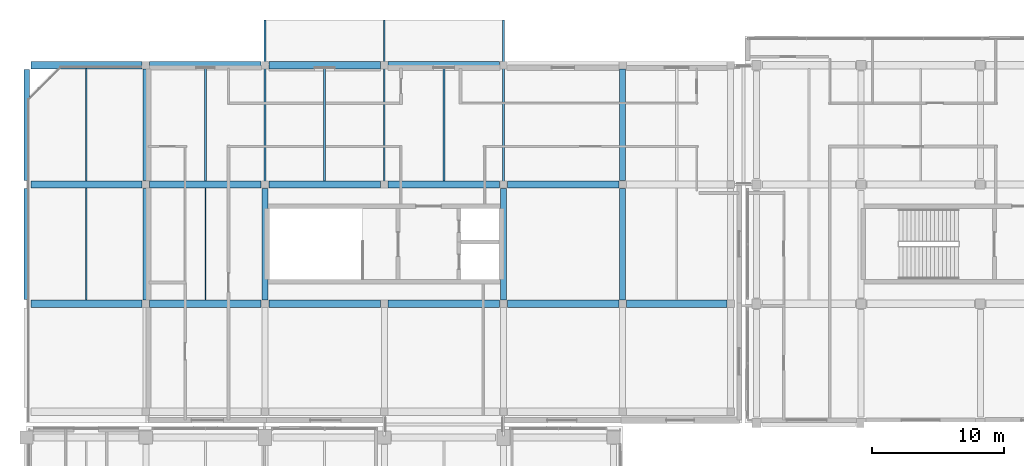
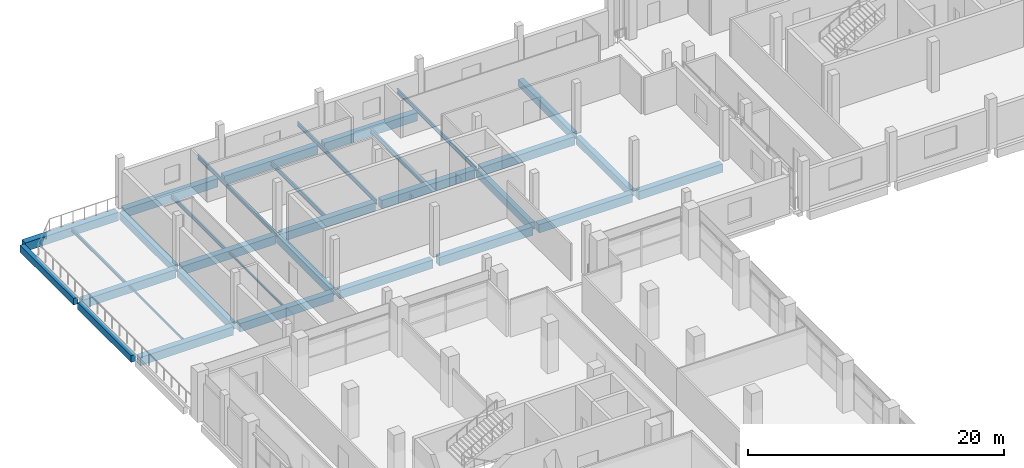
# One storey, part 42 of 111: 32 beams.
"""IFC4 building model written with IfcOpenShell, lengths in metres."""

from ifc_helpers import new_model, si_unit, direction, frame, origin, origin_2d, place, context, subcontext, project, spatial, rectangle, hollow_rectangle, i_section, extrude, material, material_profile, profile_set, type_object, element, save


model = new_model("IFC4")

# Units and contexts
model_context = context("Model", 3, precision=1e-05, world=origin(), true_north=direction((0.0, 1.0)))
body_context = subcontext(model_context, "Body", "Model", "MODEL_VIEW")
ifc_project = project(units=[si_unit("LENGTHUNIT", "METRE"), si_unit("AREAUNIT", "SQUARE_METRE"), si_unit("VOLUMEUNIT", "CUBIC_METRE"), si_unit("PLANEANGLEUNIT", "RADIAN"), si_unit("MASSUNIT", "GRAM", prefix="KILO"), si_unit("THERMODYNAMICTEMPERATUREUNIT", "KELVIN"), si_unit("POWERUNIT", "WATT")], contexts=[model_context])

# Site, building, storey
site_placement = place(None, origin())
site = spatial("IfcSite", under=ifc_project, at=site_placement, CompositionType="ELEMENT")
building_placement = place(site_placement, origin())
building = spatial("IfcBuilding", under=site, at=building_placement, Name="Sindhuravela Promenade Stadium", CompositionType="ELEMENT")
storey_placement = place(building_placement, frame((0.0, 0.0, 9.60009765625)))
storey = spatial("IfcBuildingStorey", under=building, at=storey_placement, Name="L02", CompositionType="ELEMENT", Elevation=9.60009765625)

# Beams
ifc_material_1 = material(Name="Concrete M40", Category="concrete")
ifc_material_profile_1 = material_profile(ifc_material_1, rectangle(XDim=0.39990234375, YDim=0.64990234375, at=origin_2d()), Name="RC 400x650")
ifc_profile_set_1 = profile_set([ifc_material_profile_1], Name="Concrete M40")
beam_type_1 = type_object("IfcBeamType", Name="RC-BM-400x650", PredefinedType="SPANDREL", material=ifc_profile_set_1)
for number, where, z_axis, x_axis, name in (
    (1, (0.0, 135.31494140625, -0.635009765625), (0.0, 1.0, 0.0), (-1.0, 0.0, 0.0), "Primary beam SP01 Pavilion NW L02"),
    (2, (0.0, 144.31494140625, -0.635009765625), (0.0, 1.0, 0.0), (-1.0, 0.0, 0.0), "Primary beam SP01 Pavilion NW L02"),
):
    element("IfcBeam", number, at=place(storey_placement, frame(where, z_axis=z_axis, x_axis=x_axis)), inside=storey, type_object=beam_type_1, Name=name, PredefinedType="SPANDREL", context=body_context, shape_type="SweptSolid", body=[
        extrude(rectangle(XDim=0.39990234375, YDim=0.64990234375, at=origin_2d()), origin(), (0.0, 0.0, 1.0), 8.3701171875),
    ])
ifc_material_profile_2 = material_profile(ifc_material_1, rectangle(XDim=0.449951171875, YDim=0.699951171875, at=origin_2d()), Name="RC 450x700")
ifc_profile_set_2 = profile_set([ifc_material_profile_2], Name="Concrete M40")
beam_type_2 = type_object("IfcBeamType", Name="RC-BM-450x700", PredefinedType="BEAM", material=ifc_profile_set_2)
for number, where, z_axis, x_axis, name in (
    (3, (9.0, 135.2900390625, -0.66015625), (0.0, 1.0, 0.0), (-1.0, 0.0, 0.0), "Primary beam GB07 Pavilion NW L02"),
    (4, (9.0, 144.2900390625, -0.66015625), (0.0, 1.0, 0.0), (-1.0, 0.0, 0.0), "Primary beam GB07 Pavilion NW L02"),
    (5, (18.0, 135.2900390625, -0.585205078125), (0.0, 1.0, 0.0), (-1.0, 0.0, 0.0), "Primary beam GB07 Pavilion NW L02"),
    (6, (36.0, 135.2900390625, -0.585205078125), (0.0, 1.0, 0.0), (-1.0, 0.0, 0.0), "Primary beam GB07 Pavilion NW L02"),
    (7, (45.0, 135.2900390625, -0.585205078125), (0.0, 1.0, 0.0), (-1.0, 0.0, 0.0), "Primary beam GB07 Pavilion NW L02"),
    (8, (45.0, 144.2900390625, -0.585205078125), (0.0, 1.0, 0.0), (-1.0, 0.0, 0.0), "Primary beam GB07 Pavilion NW L02"),
):
    element("IfcBeam", number, at=place(storey_placement, frame(where, z_axis=z_axis, x_axis=x_axis)), inside=storey, type_object=beam_type_2, Name=name, PredefinedType="BEAM", context=body_context, shape_type="SweptSolid", body=[
        extrude(rectangle(XDim=0.449951171875, YDim=0.699951171875, at=origin_2d()), origin(), (0.0, 0.0, 1.0), 8.419921875),
    ])
ifc_material_profile_3 = material_profile(ifc_material_1, rectangle(XDim=0.550048828125, YDim=0.800048828125, at=origin_2d()), Name="RC 550x800")
ifc_profile_set_3 = profile_set([ifc_material_profile_3], Name="Concrete M40")
beam_type_3 = type_object("IfcBeamType", Name="RC-BM-550x800", PredefinedType="BEAM", material=ifc_profile_set_3)
beam_1_placement = place(storey_placement, frame((0.31494140625, 135.0, -0.710205078125), z_axis=(1.0, 0.0, 0.0), x_axis=(0.0, 1.0, 0.0)))
element("IfcBeam", 9, at=beam_1_placement, inside=storey, type_object=beam_type_3, Name="Primary girder GB05 Pavilion NW L02", PredefinedType="BEAM", context=body_context, shape_type="SweptSolid", body=[
    extrude(rectangle(XDim=0.550048828125, YDim=0.800048828125, at=origin_2d()), origin(), (0.0, 0.0, 1.0), 8.39501953125),
])
for number, where, z_axis, x_axis, name in (
    (10, (9.2900390625, 135.0, -0.635009765625), (1.0, 0.0, 0.0), (0.0, 1.0, 0.0), "Primary girder GB05 Pavilion NW L02"),
    (11, (18.2900390625, 135.0, -0.635009765625), (1.0, 0.0, 0.0), (0.0, 1.0, 0.0), "Primary girder GB05 Pavilion NW L02"),
    (12, (27.2900390625, 135.0, -0.635009765625), (1.0, 0.0, 0.0), (0.0, 1.0, 0.0), "Primary girder GB05 Pavilion NW L02"),
    (13, (36.2900390625, 135.0, -0.635009765625), (1.0, 0.0, 0.0), (0.0, 1.0, 0.0), "Primary girder GB05 Pavilion NW L02"),
):
    element("IfcBeam", number, at=place(storey_placement, frame(where, z_axis=z_axis, x_axis=x_axis)), inside=storey, type_object=beam_type_3, Name=name, PredefinedType="BEAM", context=body_context, shape_type="SweptSolid", body=[
        extrude(rectangle(XDim=0.550048828125, YDim=0.800048828125, at=origin_2d()), origin(), (0.0, 0.0, 1.0), 8.419921875),
    ])
beam_2_placement = place(storey_placement, frame((45.2900390625, 135.0, -0.635009765625), z_axis=(1.0, 0.0, 0.0), x_axis=(0.0, 1.0, 0.0)))
element("IfcBeam", 14, at=beam_2_placement, inside=storey, type_object=beam_type_3, Name="Primary girder GB05 Pavilion NW L02", PredefinedType="BEAM", context=body_context, shape_type="SweptSolid", body=[
    extrude(rectangle(XDim=0.550048828125, YDim=0.800048828125, at=origin_2d()), origin(), (0.0, 0.0, 1.0), 7.570068359375),
])
beam_3_placement = place(storey_placement, frame((0.31494140625, 144.0, -0.710205078125), z_axis=(1.0, 0.0, 0.0), x_axis=(0.0, 1.0, 0.0)))
element("IfcBeam", 15, at=beam_3_placement, inside=storey, type_object=beam_type_3, Name="Primary girder GB05 Pavilion NW L02", PredefinedType="BEAM", context=body_context, shape_type="SweptSolid", body=[
    extrude(rectangle(XDim=0.550048828125, YDim=0.800048828125, at=origin_2d()), origin(), (0.0, 0.0, 1.0), 8.39501953125),
])
for number, where, z_axis, x_axis, name in (
    (16, (9.2900390625, 144.0, -0.635009765625), (1.0, 0.0, 0.0), (0.0, 1.0, 0.0), "Primary girder GB05 Pavilion NW L02"),
    (17, (18.2900390625, 144.0, -0.635009765625), (1.0, 0.0, 0.0), (0.0, 1.0, 0.0), "Primary girder GB05 Pavilion NW L02"),
    (18, (27.2900390625, 144.0, -0.635009765625), (1.0, 0.0, 0.0), (0.0, 1.0, 0.0), "Primary girder GB05 Pavilion NW L02"),
    (19, (36.2900390625, 144.0, -0.635009765625), (1.0, 0.0, 0.0), (0.0, 1.0, 0.0), "Primary girder GB05 Pavilion NW L02"),
):
    element("IfcBeam", number, at=place(storey_placement, frame(where, z_axis=z_axis, x_axis=x_axis)), inside=storey, type_object=beam_type_3, Name=name, PredefinedType="BEAM", context=body_context, shape_type="SweptSolid", body=[
        extrude(rectangle(XDim=0.550048828125, YDim=0.800048828125, at=origin_2d()), origin(), (0.0, 0.0, 1.0), 8.419921875),
    ])
beam_4_placement = place(storey_placement, frame((0.31494140625, 153.0, -0.710205078125), z_axis=(1.0, 0.0, 0.0), x_axis=(0.0, 1.0, 0.0)))
element("IfcBeam", 20, at=beam_4_placement, inside=storey, type_object=beam_type_3, Name="Primary girder GB05 Pavilion NW L02", PredefinedType="BEAM", context=body_context, shape_type="SweptSolid", body=[
    extrude(rectangle(XDim=0.550048828125, YDim=0.800048828125, at=origin_2d()), origin(), (0.0, 0.0, 1.0), 8.39501953125),
])
for number, where, z_axis, x_axis, name in (
    (21, (9.2900390625, 153.0, -0.635009765625), (1.0, 0.0, 0.0), (0.0, 1.0, 0.0), "Primary girder GB05 Pavilion NW L02"),
    (22, (18.2900390625, 153.0, -0.635009765625), (1.0, 0.0, 0.0), (0.0, 1.0, 0.0), "Primary girder GB05 Pavilion NW L02"),
    (23, (27.2900390625, 153.0, -0.635009765625), (1.0, 0.0, 0.0), (0.0, 1.0, 0.0), "Primary girder GB05 Pavilion NW L02"),
):
    element("IfcBeam", number, at=place(storey_placement, frame(where, z_axis=z_axis, x_axis=x_axis)), inside=storey, type_object=beam_type_3, Name=name, PredefinedType="BEAM", context=body_context, shape_type="SweptSolid", body=[
        extrude(rectangle(XDim=0.550048828125, YDim=0.800048828125, at=origin_2d()), origin(), (0.0, 0.0, 1.0), 8.419921875),
    ])
ifc_material_2 = material(Name="Steel E350 (IS 2062 E350BR)", Category="steel")
ifc_material_profile_4 = material_profile(ifc_material_2, hollow_rectangle(XDim=0.10009765625, YDim=0.199951171875, WallThickness=0.008056640625, at=origin_2d()), Name="RHS 200x100x8")
ifc_profile_set_4 = profile_set([ifc_material_profile_4], Name="Steel E350 (IS 2062 E350BR)")
beam_type_4 = type_object("IfcBeamType", Name="ST-BM-LNT200", PredefinedType="LINTEL", material=ifc_profile_set_4)
beam_5_placement = place(storey_placement, frame((4.5, 135.264892578125, -0.41015625), z_axis=(0.0, 1.0, 0.0), x_axis=(-1.0, 0.0, 0.0)))
element("IfcBeam", 24, at=beam_5_placement, inside=storey, type_object=beam_type_4, Name="Secondary floor joist LN01 Pavilion NW L02", PredefinedType="LINTEL", context=body_context, shape_type="SweptSolid", body=[
    extrude(hollow_rectangle(XDim=0.10009765625, YDim=0.199951171875, WallThickness=0.008056640625, at=origin_2d()), origin(), (0.0, 0.0, 1.0), 8.47021484375),
])
ifc_material_profile_5 = material_profile(ifc_material_2, i_section(OverallWidth=0.10009765625, OverallDepth=0.199951171875, WebThickness=0.005615234375, FlangeThickness=0.0107421875, FilletRadius=0.010986328125, at=origin_2d()), Name="ISMB 200")
ifc_profile_set_5 = profile_set([ifc_material_profile_5], Name="Steel E350 (IS 2062 E350BR)")
beam_type_5 = type_object("IfcBeamType", Name="ST-BM-MB200", PredefinedType="JOIST", material=ifc_profile_set_5)
beam_6_placement = place(storey_placement, frame((13.5, 135.264892578125, -0.335205078125), z_axis=(0.0, 1.0, 0.0), x_axis=(-1.0, 0.0, 0.0)))
element("IfcBeam", 25, at=beam_6_placement, inside=storey, type_object=beam_type_5, Name="Secondary floor joist SB01 Pavilion NW L02", PredefinedType="JOIST", context=body_context, shape_type="SweptSolid", body=[
    extrude(i_section(OverallWidth=0.10009765625, OverallDepth=0.199951171875, WebThickness=0.005615234375, FlangeThickness=0.0107421875, FilletRadius=0.010986328125, at=origin_2d()), origin(), (0.0, 0.0, 1.0), 8.47021484375),
])
ifc_material_profile_6 = material_profile(ifc_material_2, i_section(OverallWidth=0.139892578125, OverallDepth=0.300048828125, WebThickness=0.0078125, FlangeThickness=0.01318359375, FilletRadius=0.013916015625, at=origin_2d()), Name="ISMB 300")
ifc_profile_set_6 = profile_set([ifc_material_profile_6], Name="Steel E350 (IS 2062 E350BR)")
beam_type_6 = type_object("IfcBeamType", Name="ST-BM-MB300", PredefinedType="JOIST", material=ifc_profile_set_6)
beam_7_placement = place(storey_placement, frame((4.5, 144.264892578125, -0.460205078125), z_axis=(0.0, 1.0, 0.0), x_axis=(-1.0, 0.0, 0.0)))
element("IfcBeam", 26, at=beam_7_placement, inside=storey, type_object=beam_type_6, Name="Secondary floor joist SB03 Pavilion NW L02", PredefinedType="JOIST", context=body_context, shape_type="SweptSolid", body=[
    extrude(i_section(OverallWidth=0.139892578125, OverallDepth=0.300048828125, WebThickness=0.0078125, FlangeThickness=0.01318359375, FilletRadius=0.013916015625, at=origin_2d()), origin(), (0.0, 0.0, 1.0), 8.47021484375),
])
ifc_material_profile_7 = material_profile(ifc_material_2, i_section(OverallWidth=0.139892578125, OverallDepth=0.35009765625, WebThickness=0.008056640625, FlangeThickness=0.01416015625, FilletRadius=0.013916015625, at=origin_2d()), Name="ISMB 350")
ifc_profile_set_7 = profile_set([ifc_material_profile_7], Name="Steel E350 (IS 2062 E350BR)")
beam_type_7 = type_object("IfcBeamType", Name="ST-BM-MB350", PredefinedType="JOIST", material=ifc_profile_set_7)
beam_8_placement = place(storey_placement, frame((13.5, 144.264892578125, -0.41015625), z_axis=(0.0, 1.0, 0.0), x_axis=(-1.0, 0.0, 0.0)))
element("IfcBeam", 27, at=beam_8_placement, inside=storey, type_object=beam_type_7, Name="Secondary floor joist SB04 Pavilion NW L02", PredefinedType="JOIST", context=body_context, shape_type="SweptSolid", body=[
    extrude(i_section(OverallWidth=0.139892578125, OverallDepth=0.35009765625, WebThickness=0.008056640625, FlangeThickness=0.01416015625, FilletRadius=0.013916015625, at=origin_2d()), origin(), (0.0, 0.0, 1.0), 8.47021484375),
])
ifc_material_profile_8 = material_profile(ifc_material_2, i_section(OverallWidth=0.139892578125, OverallDepth=0.39990234375, WebThickness=0.0087890625, FlangeThickness=0.01611328125, FilletRadius=0.013916015625, at=origin_2d()), Name="ISMB 400")
ifc_profile_set_8 = profile_set([ifc_material_profile_8], Name="Steel E350 (IS 2062 E350BR)")
beam_type_8 = type_object("IfcBeamType", Name="ST-BM-MB400", PredefinedType="BEAM", material=ifc_profile_set_8)
beam_9_placement = place(storey_placement, frame((22.5, 144.264892578125, -0.43505859375), z_axis=(0.0, 1.0, 0.0), x_axis=(-1.0, 0.0, 0.0)))
element("IfcBeam", 28, at=beam_9_placement, inside=storey, type_object=beam_type_8, Name="Secondary floor joist SB05 Pavilion NW L02", PredefinedType="BEAM", context=body_context, shape_type="SweptSolid", body=[
    extrude(i_section(OverallWidth=0.139892578125, OverallDepth=0.39990234375, WebThickness=0.0087890625, FlangeThickness=0.01611328125, FilletRadius=0.013916015625, at=origin_2d()), origin(), (0.0, 0.0, 1.0), 8.47021484375),
])
for number, where, z_axis, x_axis, name in (
    (29, (18.0, 144.0, -0.4501953125), (0.0, 1.0, 0.0), (-1.0, 0.0, 0.0), "Main entrance canopy cantilever beam NW-1"),
    (30, (27.0, 144.0, -0.4501953125), (0.0, 1.0, 0.0), (-1.0, 0.0, 0.0), "Main entrance canopy cantilever beam NW-2"),
    (31, (36.0, 144.0, -0.4501953125), (0.0, 1.0, 0.0), (-1.0, 0.0, 0.0), "Main entrance canopy cantilever beam NW-3"),
):
    element("IfcBeam", number, at=place(storey_placement, frame(where, z_axis=z_axis, x_axis=x_axis)), inside=storey, type_object=beam_type_8, Name=name, PredefinedType="BEAM", context=body_context, shape_type="SweptSolid", body=[
        extrude(i_section(OverallWidth=0.139892578125, OverallDepth=0.39990234375, WebThickness=0.0087890625, FlangeThickness=0.01611328125, FilletRadius=0.013916015625, at=origin_2d()), origin(), (0.0, 0.0, 1.0), 12.39990234375),
    ])
ifc_material_profile_9 = material_profile(ifc_material_2, i_section(OverallWidth=0.14990234375, OverallDepth=0.449951171875, WebThickness=0.009521484375, FlangeThickness=0.017333984375, FilletRadius=0.014892578125, at=origin_2d()), Name="ISMB 450")
ifc_profile_set_9 = profile_set([ifc_material_profile_9], Name="Steel E350 (IS 2062 E350BR)")
beam_type_9 = type_object("IfcBeamType", Name="ST-BM-MB450", PredefinedType="BEAM", material=ifc_profile_set_9)
beam_10_placement = place(storey_placement, frame((31.5, 144.264892578125, -0.460205078125), z_axis=(0.0, 1.0, 0.0), x_axis=(-1.0, 0.0, 0.0)))
element("IfcBeam", 32, at=beam_10_placement, inside=storey, type_object=beam_type_9, Name="Secondary floor joist SB06 Pavilion NW L02", PredefinedType="BEAM", context=body_context, shape_type="SweptSolid", body=[
    extrude(i_section(OverallWidth=0.14990234375, OverallDepth=0.449951171875, WebThickness=0.009521484375, FlangeThickness=0.017333984375, FilletRadius=0.014892578125, at=origin_2d()), origin(), (0.0, 0.0, 1.0), 8.47021484375),
])

save(model, "model.ifc")
